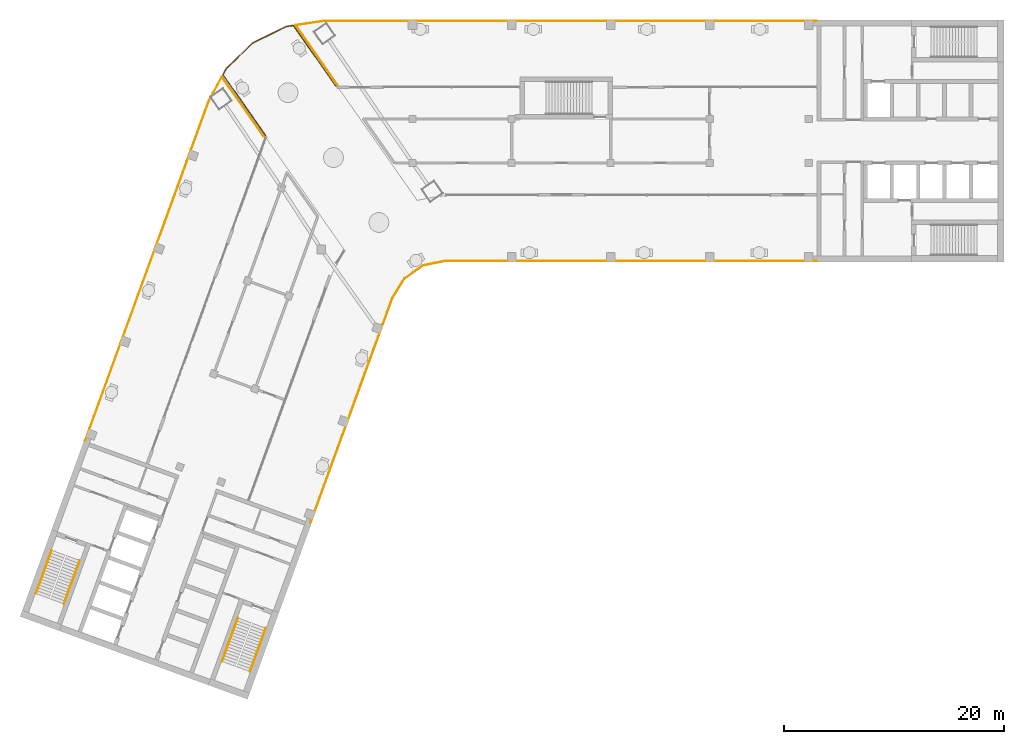
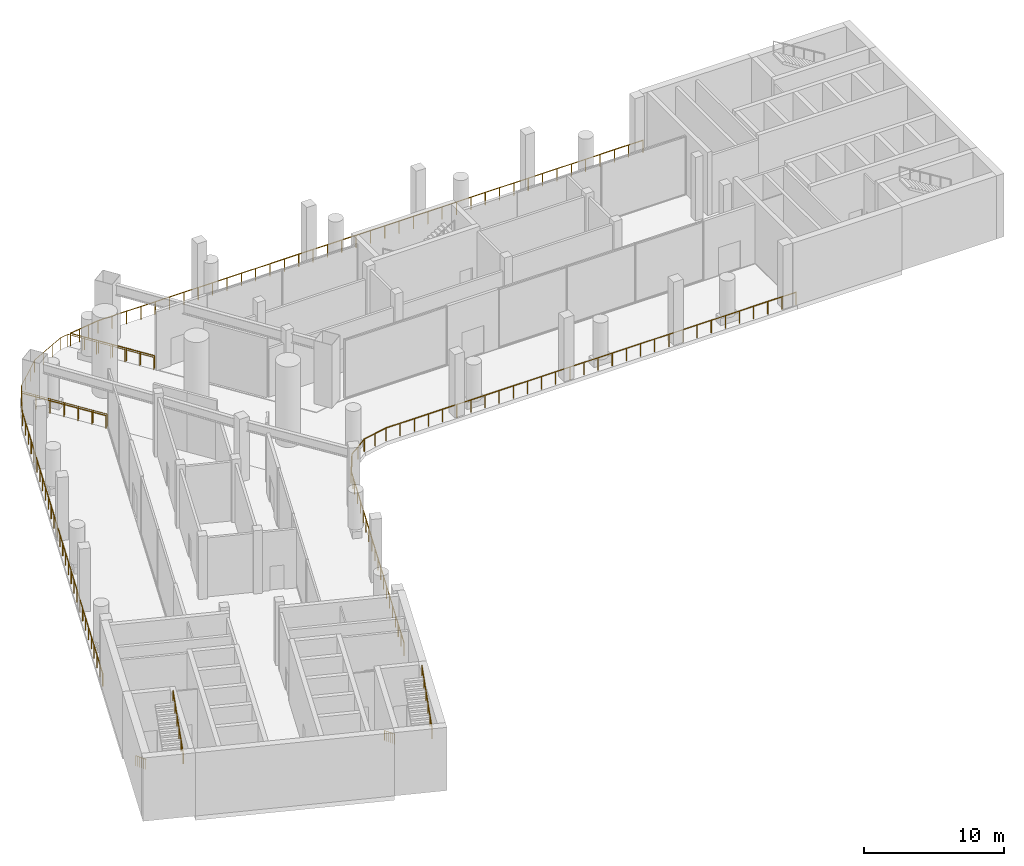
# One storey, part 13 of 17: 10 railings.
"""IFC4 building model written with IfcOpenShell, lengths in metres."""

import ifcopenshell
import ifcopenshell.guid

model = None  # the IFC model being written
_history = None  # IfcOwnerHistory: only IFC2X3 demands one
_inside = {}  # id of a spatial element -> (the spatial element, [elements in it])
_under = {}  # id of a project, library or spatial element -> (it, [spatial elements below it])
_declared = {}  # id of a project -> (the project, [libraries it declares])
_typed = {}  # id of a type object -> (the type object, [elements of that type])
_made_of = {}  # id of a material, layer set ... -> (it, [elements and type objects made of it])


def new_model(schema):
    """Start an empty IFC model of exactly this schema.

    Asked for "IFC4X3", IfcOpenShell would pick the latest addendum, in which some entities
    have other attributes; the version numbers below select the first issue.
    IFC2X3 requires an IfcOwnerHistory on every rooted entity: one is made here for all.
    """
    global model, _history
    if schema == "IFC4X3":
        model = ifcopenshell.file(schema_version=(4, 3, 0, 0))
    else:
        model = ifcopenshell.file(schema=schema)
    _inside.clear()
    _under.clear()
    _declared.clear()
    _typed.clear()
    _made_of.clear()
    _history = None
    if model.schema == "IFC2X3":
        org = make("IfcOrganization", Name="unknown")
        user = make(
            "IfcPersonAndOrganization",
            ThePerson=make("IfcPerson", FamilyName="unknown"),
            TheOrganization=org,
        )
        app = make(
            "IfcApplication",
            ApplicationDeveloper=org,
            Version="unknown",
            ApplicationFullName="unknown",
            ApplicationIdentifier="unknown",
        )
        _history = make(
            "IfcOwnerHistory",
            OwningUser=user,
            OwningApplication=app,
            ChangeAction="ADDED",
            CreationDate=0,
        )
    return model


def make(cls, **values):
    """One entity of the class cls with the attributes given. An attribute that is None is left unset."""
    return model.create_entity(
        cls, **{name: value for name, value in values.items() if value is not None}
    )


def rooted(cls, **values):
    """An entity with a GlobalId (a new one), such as an element, a storey or a relation."""
    return make(cls, GlobalId=ifcopenshell.guid.new(), OwnerHistory=_history, **values)


def si_unit(unit_type, name, prefix=None):
    """IfcSIUnit, for example si_unit("LENGTHUNIT", "METRE", prefix="MILLI")."""
    return make("IfcSIUnit", UnitType=unit_type, Prefix=prefix, Name=name)


def assignment(units):
    """IfcUnitAssignment: the units of a project."""
    return None if units is None else make("IfcUnitAssignment", Units=units)


def point(xyz):
    """IfcCartesianPoint."""
    return None if xyz is None else make("IfcCartesianPoint", Coordinates=xyz)


def direction(xyz):
    """IfcDirection."""
    return None if xyz is None else make("IfcDirection", DirectionRatios=xyz)


def frame(location, z_axis=None, x_axis=None):
    """IfcAxis2Placement3D, a coordinate frame: its origin and axes. An axis left out is left unset."""
    return make(
        "IfcAxis2Placement3D",
        Location=point(location),
        Axis=direction(z_axis),
        RefDirection=direction(x_axis),
    )


def frame_2d(location, x_axis=None):
    """IfcAxis2Placement2D, a coordinate frame in the plane: its origin and x axis."""
    return make(
        "IfcAxis2Placement2D", Location=point(location), RefDirection=direction(x_axis)
    )


def origin():
    """The frame at (0, 0, 0) with its axes left unset."""
    return frame((0.0, 0.0, 0.0))


def origin_2d():
    """The frame at (0, 0) in the plane with its x axis left unset."""
    return frame_2d((0.0, 0.0))


def place(relative_to, where):
    """IfcLocalPlacement: puts the frame where relative to a parent placement (None: the world)."""
    return make(
        "IfcLocalPlacement", PlacementRelTo=relative_to, RelativePlacement=where
    )


def context(
    kind, dimensions, precision=None, world=None, true_north=None, identifier=None
):
    """IfcGeometricRepresentationContext, for example the 3D "Model" context."""
    return make(
        "IfcGeometricRepresentationContext",
        ContextIdentifier=identifier,
        ContextType=kind,
        CoordinateSpaceDimension=dimensions,
        Precision=precision,
        WorldCoordinateSystem=world,
        TrueNorth=true_north,
    )


def subcontext(parent, identifier, kind, view, scale=None):
    """IfcGeometricRepresentationSubContext, for example "Body" below "Model"."""
    return make(
        "IfcGeometricRepresentationSubContext",
        ContextIdentifier=identifier,
        ContextType=kind,
        ParentContext=parent,
        TargetScale=scale,
        TargetView=view,
    )


def project(units=None, contexts=None):
    """IfcProject with its units and contexts."""
    return rooted(
        "IfcProject",
        Name="project",
        RepresentationContexts=contexts,
        UnitsInContext=assignment(units),
    )


def spatial(cls, under=None, at=None, **own):
    """A site, building, storey or space (cls), placed at a placement, below another one or the project."""
    s = rooted(cls, ObjectPlacement=at, **own)
    if under is not None:
        _under.setdefault(under.id(), (under, []))[1].append(s)
    return s


def profile(cls, at=None, kind="AREA", **sizes):
    """A parametric profile (cls). Its sizes go by their IFC names, for example OverallWidth=200.0."""
    return make(cls, ProfileType=kind, Position=at, **sizes)


def circle(**sizes):
    """IfcCircleProfileDef."""
    return profile("IfcCircleProfileDef", **sizes)


def extrude(swept, where, along, depth):
    """IfcExtrudedAreaSolid: the profile swept, set in the frame where, extruded along a direction by depth."""
    return make(
        "IfcExtrudedAreaSolid",
        SweptArea=swept,
        Position=where,
        ExtrudedDirection=direction(along),
        Depth=depth,
    )


def shape(context_of_items, identifier, shape_type, items):
    """IfcShapeRepresentation: the items that make up one representation, for example the "Body"."""
    return make(
        "IfcShapeRepresentation",
        ContextOfItems=context_of_items,
        RepresentationIdentifier=identifier,
        RepresentationType=shape_type,
        Items=items,
    )


def material(Name=None, Category=None):
    """IfcMaterial."""
    return make("IfcMaterial", Name=Name, Category=Category)


def made_of(thing, what):
    """Note that an element or type object is made of a material, layer set ...; save() writes the relation."""
    if what is not None:
        _made_of.setdefault(what.id(), (what, []))[1].append(thing)
    return thing


def type_object(cls, material=None, **own):
    """A type object (cls), such as IfcWallType, which elements share."""
    return made_of(rooted(cls, **own), material)


def element(
    cls,
    number,
    at=None,
    inside=None,
    cuts=None,
    type_object=None,
    material=None,
    context=None,
    identifier="Body",
    shape_type=None,
    held_by="IfcProductDefinitionShape",
    body=None,
    shapes=None,
    **own,
):
    """One element of the class cls, such as IfcWall. Its Tag is "e" and its number.

    at: its placement. inside: the storey or other place that contains it. cuts: it is an
    opening in that element (IfcRelVoidsElement). A single representation is given by context,
    identifier, shape_type and body (its items); several are given by shapes. held_by: the class
    of the entity that holds the representations. save() writes the other relations.
    """
    e = rooted(cls, Tag="e%d" % number, ObjectPlacement=at, **own)
    if body is not None:
        shapes = [shape(context, identifier, shape_type, body)]
    if shapes is not None:
        e.Representation = make(held_by, Representations=shapes)
    if inside is not None:
        _inside.setdefault(inside.id(), (inside, []))[1].append(e)
    if cuts is not None:
        rooted(
            "IfcRelVoidsElement", RelatingBuildingElement=cuts, RelatedOpeningElement=e
        )
    if type_object is not None:
        _typed.setdefault(type_object.id(), (type_object, []))[1].append(e)
    return made_of(e, material)


def aggregate(whole, parts):
    """IfcRelAggregates: a whole, such as a stair, and the parts it consists of."""
    return rooted("IfcRelAggregates", RelatingObject=whole, RelatedObjects=parts)


def save(model, path):
    """Write the relations noted so far, then the file.

    IfcRelAggregates (storeys below a building ...), IfcRelContainedInSpatialStructure (elements
    in a storey), IfcRelDefinesByType, IfcRelAssociatesMaterial and IfcRelDeclares: one each for
    every whole, place, type object, material and project.
    """
    for whole, parts in _under.values():
        aggregate(whole, parts)
    for where, things in _inside.values():
        rooted(
            "IfcRelContainedInSpatialStructure",
            RelatedElements=things,
            RelatingStructure=where,
        )
    for kind, things in _typed.values():
        rooted("IfcRelDefinesByType", RelatedObjects=things, RelatingType=kind)
    for what, things in _made_of.values():
        rooted("IfcRelAssociatesMaterial", RelatedObjects=things, RelatingMaterial=what)
    for by, libraries in _declared.values():
        rooted("IfcRelDeclares", RelatingContext=by, RelatedDefinitions=libraries)
    model.write(path)


model = new_model("IFC4")

# Units and contexts
model_context = context("Model", 3, precision=1e-05, world=origin(), true_north=direction((0.0, 1.0)))
body_context = subcontext(model_context, "Body", "Model", "MODEL_VIEW")
ifc_project = project(units=[si_unit("LENGTHUNIT", "METRE"), si_unit("AREAUNIT", "SQUARE_METRE"), si_unit("VOLUMEUNIT", "CUBIC_METRE"), si_unit("PLANEANGLEUNIT", "RADIAN"), si_unit("MASSUNIT", "GRAM", prefix="KILO")], contexts=[model_context])

# Site, building, storey
site_placement = place(None, origin())
site = spatial("IfcSite", under=ifc_project, at=site_placement, CompositionType="ELEMENT")
building_placement = place(site_placement, origin())
building = spatial("IfcBuilding", under=site, at=building_placement, Name="Skarvind Civic Tower", CompositionType="ELEMENT")
storey_placement = place(building_placement, frame((0.0, 0.0, 182.5)))
storey = spatial("IfcBuildingStorey", under=building, at=storey_placement, Name="L43", CompositionType="ELEMENT", Elevation=182.5)

# Railings
ifc_material_1 = material(Name="Stainless steel balustrade", Category="steel")
railing_type_1 = type_object("IfcRailingType", Name="GR1 GUARD 1100", PredefinedType="GUARDRAIL", material=ifc_material_1)
railing_1_placement = place(storey_placement, frame((40.882080078125, 128.509765625, 0.0)))
element("IfcRailing", 1, at=railing_1_placement, inside=storey, type_object=railing_type_1, Name="TERRACE GUARD", PredefinedType="GUARDRAIL", context=body_context, shape_type="SweptSolid", body=[
    extrude(circle(Radius=0.02392578125, at=origin_2d()), frame((0.0, 0.0, 1.076171875), z_axis=(-0.573574278211, 0.81915355543, 0.0), x_axis=(-0.81915355543, -0.573574278211, 0.0)), (0.0, 0.0, 1.0), 6.7333984375),
    extrude(circle(Radius=0.02392578125, at=origin_2d()), frame((-3.862060546875, 5.515625, 1.076171875), z_axis=(0.476125014494, 0.879377604089, 0.0), x_axis=(-0.879377604089, 0.476125014494, 0.0)), (0.0, 0.0, 1.0), 0.646484375),
    extrude(circle(Radius=0.02392578125, at=origin_2d()), frame((-3.55419921875, 6.084228515625, 1.076171875), z_axis=(0.721198618013, 0.692728340243, 0.0), x_axis=(-0.692728340243, 0.721198618013, 0.0)), (0.0, 0.0, 1.0), 3.361572265625),
    extrude(circle(Radius=0.02392578125, at=origin_2d()), frame((-1.1298828125, 8.412841796875, 1.076171875), z_axis=(0.897628432025, 0.440752989803, 0.0), x_axis=(-0.440752989803, 0.897628432025, 0.0)), (0.0, 0.0, 1.0), 3.36181640625),
    extrude(circle(Radius=0.02392578125, at=origin_2d()), frame((1.8876953125, 9.89453125, 1.076171875), z_axis=(0.989093689947, 0.147287720152, 0.0), x_axis=(-0.147287720152, 0.989093689947, 0.0)), (0.0, 0.0, 1.0), 0.646484375),
    extrude(circle(Radius=0.02392578125, at=origin_2d()), frame((2.527099609375, 9.98974609375, 1.076171875), z_axis=(0.573581571853, -0.819148448348, 0.0), x_axis=(0.819148448348, 0.573581571853, 0.0)), (0.0, 0.0, 1.0), 6.733642578125),
    extrude(circle(Radius=0.02099609375, at=origin_2d()), origin(), (0.0, 0.0, 1.0), 1.052001953125),
    extrude(circle(Radius=0.02099609375, at=origin_2d()), frame((-0.6435546875, 0.919189453125, 0.0)), (0.0, 0.0, 1.0), 1.052001953125),
    extrude(circle(Radius=0.02099609375, at=origin_2d()), frame((-1.287353515625, 1.838623046875, 0.0)), (0.0, 0.0, 1.0), 1.052001953125),
    extrude(circle(Radius=0.02099609375, at=origin_2d()), frame((-1.93115234375, 2.7578125, 0.0)), (0.0, 0.0, 1.0), 1.052001953125),
    extrude(circle(Radius=0.02099609375, at=origin_2d()), frame((-2.57470703125, 3.677001953125, 0.0)), (0.0, 0.0, 1.0), 1.052001953125),
    extrude(circle(Radius=0.02099609375, at=origin_2d()), frame((-3.21826171875, 4.596435546875, 0.0)), (0.0, 0.0, 1.0), 1.052001953125),
    extrude(circle(Radius=0.02099609375, at=origin_2d()), frame((-3.862060546875, 5.515625, 0.0)), (0.0, 0.0, 1.0), 1.052001953125),
    extrude(circle(Radius=0.02099609375, at=origin_2d()), frame((-3.55419921875, 6.084228515625, 0.0)), (0.0, 0.0, 1.0), 1.052001953125),
    extrude(circle(Radius=0.02099609375, at=origin_2d()), frame((-2.74609375, 6.8603515625, 0.0)), (0.0, 0.0, 1.0), 1.052001953125),
    extrude(circle(Radius=0.02099609375, at=origin_2d()), frame((-1.93798828125, 7.63671875, 0.0)), (0.0, 0.0, 1.0), 1.052001953125),
    extrude(circle(Radius=0.02099609375, at=origin_2d()), frame((-1.1298828125, 8.412841796875, 0.0)), (0.0, 0.0, 1.0), 1.052001953125),
    extrude(circle(Radius=0.02099609375, at=origin_2d()), frame((-0.1240234375, 8.90673828125, 0.0)), (0.0, 0.0, 1.0), 1.052001953125),
    extrude(circle(Radius=0.02099609375, at=origin_2d()), frame((0.8818359375, 9.400634765625, 0.0)), (0.0, 0.0, 1.0), 1.052001953125),
    extrude(circle(Radius=0.02099609375, at=origin_2d()), frame((1.8876953125, 9.89453125, 0.0)), (0.0, 0.0, 1.0), 1.052001953125),
    extrude(circle(Radius=0.02099609375, at=origin_2d()), frame((2.527099609375, 9.98974609375, 0.0)), (0.0, 0.0, 1.0), 1.052001953125),
    extrude(circle(Radius=0.02099609375, at=origin_2d()), frame((3.1708984375, 9.0703125, 0.0)), (0.0, 0.0, 1.0), 1.052001953125),
    extrude(circle(Radius=0.02099609375, at=origin_2d()), frame((3.814453125, 8.151123046875, 0.0)), (0.0, 0.0, 1.0), 1.052001953125),
    extrude(circle(Radius=0.02099609375, at=origin_2d()), frame((4.458251953125, 7.23193359375, 0.0)), (0.0, 0.0, 1.0), 1.052001953125),
    extrude(circle(Radius=0.02099609375, at=origin_2d()), frame((5.10205078125, 6.3125, 0.0)), (0.0, 0.0, 1.0), 1.052001953125),
    extrude(circle(Radius=0.02099609375, at=origin_2d()), frame((5.74560546875, 5.39306640625, 0.0)), (0.0, 0.0, 1.0), 1.052001953125),
    extrude(circle(Radius=0.02099609375, at=origin_2d()), frame((6.389404296875, 4.473876953125, 0.0)), (0.0, 0.0, 1.0), 1.052001953125),
])
railing_2_placement = place(storey_placement, frame((90.949951171875, 117.10009765625, 0.0)))
element("IfcRailing", 2, at=railing_2_placement, inside=storey, type_object=railing_type_1, Name="TERRACE GUARD", PredefinedType="GUARDRAIL", context=body_context, shape_type="SweptSolid", body=[
    extrude(circle(Radius=0.02392578125, at=origin_2d()), frame((0.0, 0.0, 1.076171875), z_axis=(-1.0, 0.0, 0.0), x_axis=(0.0, -1.0, 0.0)), (0.0, 0.0, 1.0), 33.724853515625),
    extrude(circle(Radius=0.02099609375, at=origin_2d()), origin(), (0.0, 0.0, 1.0), 1.052001953125),
    extrude(circle(Radius=0.02099609375, at=origin_2d()), frame((-1.162841796875, 0.0, 0.0)), (0.0, 0.0, 1.0), 1.052001953125),
    extrude(circle(Radius=0.02099609375, at=origin_2d()), frame((-2.325927734375, 0.0, 0.0)), (0.0, 0.0, 1.0), 1.052001953125),
    extrude(circle(Radius=0.02099609375, at=origin_2d()), frame((-3.48876953125, 0.0, 0.0)), (0.0, 0.0, 1.0), 1.052001953125),
    extrude(circle(Radius=0.02099609375, at=origin_2d()), frame((-4.651611328125, 0.0, 0.0)), (0.0, 0.0, 1.0), 1.052001953125),
    extrude(circle(Radius=0.02099609375, at=origin_2d()), frame((-5.814697265625, 0.0, 0.0)), (0.0, 0.0, 1.0), 1.052001953125),
    extrude(circle(Radius=0.02099609375, at=origin_2d()), frame((-6.9775390625, 0.0, 0.0)), (0.0, 0.0, 1.0), 1.052001953125),
    extrude(circle(Radius=0.02099609375, at=origin_2d()), frame((-8.140380859375, 0.0, 0.0)), (0.0, 0.0, 1.0), 1.052001953125),
    extrude(circle(Radius=0.02099609375, at=origin_2d()), frame((-9.303466796875, 0.0, 0.0)), (0.0, 0.0, 1.0), 1.052001953125),
    extrude(circle(Radius=0.02099609375, at=origin_2d()), frame((-10.46630859375, 0.0, 0.0)), (0.0, 0.0, 1.0), 1.052001953125),
    extrude(circle(Radius=0.02099609375, at=origin_2d()), frame((-11.629150390625, 0.0, 0.0)), (0.0, 0.0, 1.0), 1.052001953125),
    extrude(circle(Radius=0.02099609375, at=origin_2d()), frame((-12.792236328125, 0.0, 0.0)), (0.0, 0.0, 1.0), 1.052001953125),
    extrude(circle(Radius=0.02099609375, at=origin_2d()), frame((-13.955078125, 0.0, 0.0)), (0.0, 0.0, 1.0), 1.052001953125),
    extrude(circle(Radius=0.02099609375, at=origin_2d()), frame((-15.117919921875, 0.0, 0.0)), (0.0, 0.0, 1.0), 1.052001953125),
    extrude(circle(Radius=0.02099609375, at=origin_2d()), frame((-16.281005859375, 0.0, 0.0)), (0.0, 0.0, 1.0), 1.052001953125),
    extrude(circle(Radius=0.02099609375, at=origin_2d()), frame((-17.44384765625, 0.0, 0.0)), (0.0, 0.0, 1.0), 1.052001953125),
    extrude(circle(Radius=0.02099609375, at=origin_2d()), frame((-18.60693359375, 0.0, 0.0)), (0.0, 0.0, 1.0), 1.052001953125),
    extrude(circle(Radius=0.02099609375, at=origin_2d()), frame((-19.769775390625, 0.0, 0.0)), (0.0, 0.0, 1.0), 1.052001953125),
    extrude(circle(Radius=0.02099609375, at=origin_2d()), frame((-20.9326171875, 0.0, 0.0)), (0.0, 0.0, 1.0), 1.052001953125),
    extrude(circle(Radius=0.02099609375, at=origin_2d()), frame((-22.095703125, 0.0, 0.0)), (0.0, 0.0, 1.0), 1.052001953125),
    extrude(circle(Radius=0.02099609375, at=origin_2d()), frame((-23.258544921875, 0.0, 0.0)), (0.0, 0.0, 1.0), 1.052001953125),
    extrude(circle(Radius=0.02099609375, at=origin_2d()), frame((-24.42138671875, 0.0, 0.0)), (0.0, 0.0, 1.0), 1.052001953125),
    extrude(circle(Radius=0.02099609375, at=origin_2d()), frame((-25.58447265625, 0.0, 0.0)), (0.0, 0.0, 1.0), 1.052001953125),
    extrude(circle(Radius=0.02099609375, at=origin_2d()), frame((-26.747314453125, 0.0, 0.0)), (0.0, 0.0, 1.0), 1.052001953125),
    extrude(circle(Radius=0.02099609375, at=origin_2d()), frame((-27.91015625, 0.0, 0.0)), (0.0, 0.0, 1.0), 1.052001953125),
    extrude(circle(Radius=0.02099609375, at=origin_2d()), frame((-29.0732421875, 0.0, 0.0)), (0.0, 0.0, 1.0), 1.052001953125),
    extrude(circle(Radius=0.02099609375, at=origin_2d()), frame((-30.236083984375, 0.0, 0.0)), (0.0, 0.0, 1.0), 1.052001953125),
    extrude(circle(Radius=0.02099609375, at=origin_2d()), frame((-31.39892578125, 0.0, 0.0)), (0.0, 0.0, 1.0), 1.052001953125),
    extrude(circle(Radius=0.02099609375, at=origin_2d()), frame((-32.56201171875, 0.0, 0.0)), (0.0, 0.0, 1.0), 1.052001953125),
    extrude(circle(Radius=0.02099609375, at=origin_2d()), frame((-33.724853515625, 0.0, 0.0)), (0.0, 0.0, 1.0), 1.052001953125),
])
railing_3_placement = place(storey_placement, frame((57.22509765625, 117.10009765625, 0.0)))
element("IfcRailing", 3, at=railing_3_placement, inside=storey, type_object=railing_type_1, Name="TERRACE GUARD", PredefinedType="GUARDRAIL", context=body_context, shape_type="SweptSolid", body=[
    extrude(circle(Radius=0.02392578125, at=origin_2d()), frame((0.0, 0.0, 1.076171875), z_axis=(-0.979946017644, -0.199263148883, 0.0), x_axis=(0.199263148883, -0.979946017644, 0.0)), (0.0, 0.0, 1.0), 2.072998046875),
    extrude(circle(Radius=0.02392578125, at=origin_2d()), frame((-2.031494140625, -0.4130859375, 1.076171875), z_axis=(-0.819143848461, -0.573588141028, 0.0), x_axis=(0.573588141028, -0.819143848461, 0.0)), (0.0, 0.0, 1.0), 2.083984375),
    extrude(circle(Radius=0.02392578125, at=origin_2d()), frame((-3.738525390625, -1.6083984375, 1.076171875), z_axis=(-0.522473695222, -0.8526554039, 0.0), x_axis=(0.8526554039, -0.522473695222, 0.0)), (0.0, 0.0, 1.0), 2.0732421875),
    extrude(circle(Radius=0.02392578125, at=origin_2d()), frame((-4.82177734375, -3.376220703125, 1.076171875), z_axis=(-0.341901573429, -0.939735768228, 0.0), x_axis=(0.939735768228, -0.341901573429, 0.0)), (0.0, 0.0, 1.0), 1.3603515625),
    extrude(circle(Radius=0.02392578125, at=origin_2d()), frame((-5.286865234375, -4.654541015625, 1.076171875), z_axis=(-0.342019308374, -0.939692924683, 0.0), x_axis=(0.939692924683, -0.342019308374, 0.0)), (0.0, 0.0, 1.0), 20.364501953125),
    extrude(circle(Radius=0.02099609375, at=origin_2d()), origin(), (0.0, 0.0, 1.0), 1.052001953125),
    extrude(circle(Radius=0.02099609375, at=origin_2d()), frame((-1.015625, -0.20654296875, 0.0)), (0.0, 0.0, 1.0), 1.052001953125),
    extrude(circle(Radius=0.02099609375, at=origin_2d()), frame((-2.031494140625, -0.4130859375, 0.0)), (0.0, 0.0, 1.0), 1.052001953125),
    extrude(circle(Radius=0.02099609375, at=origin_2d()), frame((-2.885009765625, -1.0107421875, 0.0)), (0.0, 0.0, 1.0), 1.052001953125),
    extrude(circle(Radius=0.02099609375, at=origin_2d()), frame((-3.738525390625, -1.6083984375, 0.0)), (0.0, 0.0, 1.0), 1.052001953125),
    extrude(circle(Radius=0.02099609375, at=origin_2d()), frame((-4.2802734375, -2.4921875, 0.0)), (0.0, 0.0, 1.0), 1.052001953125),
    extrude(circle(Radius=0.02099609375, at=origin_2d()), frame((-4.82177734375, -3.376220703125, 0.0)), (0.0, 0.0, 1.0), 1.052001953125),
    extrude(circle(Radius=0.02099609375, at=origin_2d()), frame((-5.05419921875, -4.015380859375, 0.0)), (0.0, 0.0, 1.0), 1.052001953125),
    extrude(circle(Radius=0.02099609375, at=origin_2d()), frame((-5.286865234375, -4.654541015625, 0.0)), (0.0, 0.0, 1.0), 1.052001953125),
    extrude(circle(Radius=0.02099609375, at=origin_2d()), frame((-5.696533203125, -5.7802734375, 0.0)), (0.0, 0.0, 1.0), 1.052001953125),
    extrude(circle(Radius=0.02099609375, at=origin_2d()), frame((-6.106201171875, -6.906005859375, 0.0)), (0.0, 0.0, 1.0), 1.052001953125),
    extrude(circle(Radius=0.02099609375, at=origin_2d()), frame((-6.51611328125, -8.031494140625, 0.0)), (0.0, 0.0, 1.0), 1.052001953125),
    extrude(circle(Radius=0.02099609375, at=origin_2d()), frame((-6.92578125, -9.1572265625, 0.0)), (0.0, 0.0, 1.0), 1.052001953125),
    extrude(circle(Radius=0.02099609375, at=origin_2d()), frame((-7.33544921875, -10.282958984375, 0.0)), (0.0, 0.0, 1.0), 1.052001953125),
    extrude(circle(Radius=0.02099609375, at=origin_2d()), frame((-7.7451171875, -11.40869140625, 0.0)), (0.0, 0.0, 1.0), 1.052001953125),
    extrude(circle(Radius=0.02099609375, at=origin_2d()), frame((-8.15478515625, -12.5341796875, 0.0)), (0.0, 0.0, 1.0), 1.052001953125),
    extrude(circle(Radius=0.02099609375, at=origin_2d()), frame((-8.564453125, -13.659912109375, 0.0)), (0.0, 0.0, 1.0), 1.052001953125),
    extrude(circle(Radius=0.02099609375, at=origin_2d()), frame((-8.974365234375, -14.78564453125, 0.0)), (0.0, 0.0, 1.0), 1.052001953125),
    extrude(circle(Radius=0.02099609375, at=origin_2d()), frame((-9.384033203125, -15.911376953125, 0.0)), (0.0, 0.0, 1.0), 1.052001953125),
    extrude(circle(Radius=0.02099609375, at=origin_2d()), frame((-9.793701171875, -17.036865234375, 0.0)), (0.0, 0.0, 1.0), 1.052001953125),
    extrude(circle(Radius=0.02099609375, at=origin_2d()), frame((-10.203369140625, -18.16259765625, 0.0)), (0.0, 0.0, 1.0), 1.052001953125),
    extrude(circle(Radius=0.02099609375, at=origin_2d()), frame((-10.613037109375, -19.288330078125, 0.0)), (0.0, 0.0, 1.0), 1.052001953125),
    extrude(circle(Radius=0.02099609375, at=origin_2d()), frame((-11.022705078125, -20.4140625, 0.0)), (0.0, 0.0, 1.0), 1.052001953125),
    extrude(circle(Radius=0.02099609375, at=origin_2d()), frame((-11.4326171875, -21.53955078125, 0.0)), (0.0, 0.0, 1.0), 1.052001953125),
    extrude(circle(Radius=0.02099609375, at=origin_2d()), frame((-11.84228515625, -22.665283203125, 0.0)), (0.0, 0.0, 1.0), 1.052001953125),
    extrude(circle(Radius=0.02099609375, at=origin_2d()), frame((-12.251953125, -23.791015625, 0.0)), (0.0, 0.0, 1.0), 1.052001953125),
])
railing_4_placement = place(storey_placement, frame((47.435302734375, 133.098388671875, 0.0)))
element("IfcRailing", 4, at=railing_4_placement, inside=storey, type_object=railing_type_1, Name="TERRACE GUARD", PredefinedType="GUARDRAIL", context=body_context, shape_type="SweptSolid", body=[
    extrude(circle(Radius=0.02392578125, at=origin_2d()), frame((0.0, 0.0, 1.076171875), z_axis=(-0.573588310561, 0.81914372975, 0.0), x_axis=(-0.81914372975, -0.573588310561, 0.0)), (0.0, 0.0, 1.0), 6.633544921875),
    extrude(circle(Radius=0.02392578125, at=origin_2d()), frame((-3.804931640625, 5.433837890625, 1.076171875), z_axis=(0.98912255263, 0.147093765603, 0.0), x_axis=(-0.147093765603, 0.98912255263, 0.0)), (0.0, 0.0, 1.0), 2.49951171875),
    extrude(circle(Radius=0.02392578125, at=origin_2d()), frame((-1.33251953125, 5.801513671875, 1.076171875), z_axis=(1.0, 0.0, 0.0), x_axis=(0.0, 1.0, 0.0)), (0.0, 0.0, 1.0), 44.84716796875),
    extrude(circle(Radius=0.02099609375, at=origin_2d()), origin(), (0.0, 0.0, 1.0), 1.052001953125),
    extrude(circle(Radius=0.02099609375, at=origin_2d()), frame((-0.63427734375, 0.90576171875, 0.0)), (0.0, 0.0, 1.0), 1.052001953125),
    extrude(circle(Radius=0.02099609375, at=origin_2d()), frame((-1.268310546875, 1.811279296875, 0.0)), (0.0, 0.0, 1.0), 1.052001953125),
    extrude(circle(Radius=0.02099609375, at=origin_2d()), frame((-1.90234375, 2.716796875, 0.0)), (0.0, 0.0, 1.0), 1.052001953125),
    extrude(circle(Radius=0.02099609375, at=origin_2d()), frame((-2.53662109375, 3.62255859375, 0.0)), (0.0, 0.0, 1.0), 1.052001953125),
    extrude(circle(Radius=0.02099609375, at=origin_2d()), frame((-3.1708984375, 4.5283203125, 0.0)), (0.0, 0.0, 1.0), 1.052001953125),
    extrude(circle(Radius=0.02099609375, at=origin_2d()), frame((-3.804931640625, 5.433837890625, 0.0)), (0.0, 0.0, 1.0), 1.052001953125),
    extrude(circle(Radius=0.02099609375, at=origin_2d()), frame((-2.980712890625, 5.556396484375, 0.0)), (0.0, 0.0, 1.0), 1.052001953125),
    extrude(circle(Radius=0.02099609375, at=origin_2d()), frame((-2.15673828125, 5.678955078125, 0.0)), (0.0, 0.0, 1.0), 1.052001953125),
    extrude(circle(Radius=0.02099609375, at=origin_2d()), frame((-1.33251953125, 5.801513671875, 0.0)), (0.0, 0.0, 1.0), 1.052001953125),
    extrude(circle(Radius=0.02099609375, at=origin_2d()), frame((-0.15234375, 5.801513671875, 0.0)), (0.0, 0.0, 1.0), 1.052001953125),
    extrude(circle(Radius=0.02099609375, at=origin_2d()), frame((1.02783203125, 5.801513671875, 0.0)), (0.0, 0.0, 1.0), 1.052001953125),
    extrude(circle(Radius=0.02099609375, at=origin_2d()), frame((2.2080078125, 5.801513671875, 0.0)), (0.0, 0.0, 1.0), 1.052001953125),
    extrude(circle(Radius=0.02099609375, at=origin_2d()), frame((3.38818359375, 5.801513671875, 0.0)), (0.0, 0.0, 1.0), 1.052001953125),
    extrude(circle(Radius=0.02099609375, at=origin_2d()), frame((4.568359375, 5.801513671875, 0.0)), (0.0, 0.0, 1.0), 1.052001953125),
    extrude(circle(Radius=0.02099609375, at=origin_2d()), frame((5.74853515625, 5.801513671875, 0.0)), (0.0, 0.0, 1.0), 1.052001953125),
    extrude(circle(Radius=0.02099609375, at=origin_2d()), frame((6.9287109375, 5.801513671875, 0.0)), (0.0, 0.0, 1.0), 1.052001953125),
    extrude(circle(Radius=0.02099609375, at=origin_2d()), frame((8.10888671875, 5.801513671875, 0.0)), (0.0, 0.0, 1.0), 1.052001953125),
    extrude(circle(Radius=0.02099609375, at=origin_2d()), frame((9.2890625, 5.801513671875, 0.0)), (0.0, 0.0, 1.0), 1.052001953125),
    extrude(circle(Radius=0.02099609375, at=origin_2d()), frame((10.469482421875, 5.801513671875, 0.0)), (0.0, 0.0, 1.0), 1.052001953125),
    extrude(circle(Radius=0.02099609375, at=origin_2d()), frame((11.649658203125, 5.801513671875, 0.0)), (0.0, 0.0, 1.0), 1.052001953125),
    extrude(circle(Radius=0.02099609375, at=origin_2d()), frame((12.829833984375, 5.801513671875, 0.0)), (0.0, 0.0, 1.0), 1.052001953125),
    extrude(circle(Radius=0.02099609375, at=origin_2d()), frame((14.010009765625, 5.801513671875, 0.0)), (0.0, 0.0, 1.0), 1.052001953125),
    extrude(circle(Radius=0.02099609375, at=origin_2d()), frame((15.190185546875, 5.801513671875, 0.0)), (0.0, 0.0, 1.0), 1.052001953125),
    extrude(circle(Radius=0.02099609375, at=origin_2d()), frame((16.370361328125, 5.801513671875, 0.0)), (0.0, 0.0, 1.0), 1.052001953125),
    extrude(circle(Radius=0.02099609375, at=origin_2d()), frame((17.550537109375, 5.801513671875, 0.0)), (0.0, 0.0, 1.0), 1.052001953125),
    extrude(circle(Radius=0.02099609375, at=origin_2d()), frame((18.730712890625, 5.801513671875, 0.0)), (0.0, 0.0, 1.0), 1.052001953125),
    extrude(circle(Radius=0.02099609375, at=origin_2d()), frame((19.910888671875, 5.801513671875, 0.0)), (0.0, 0.0, 1.0), 1.052001953125),
    extrude(circle(Radius=0.02099609375, at=origin_2d()), frame((21.091064453125, 5.801513671875, 0.0)), (0.0, 0.0, 1.0), 1.052001953125),
    extrude(circle(Radius=0.02099609375, at=origin_2d()), frame((22.271240234375, 5.801513671875, 0.0)), (0.0, 0.0, 1.0), 1.052001953125),
    extrude(circle(Radius=0.02099609375, at=origin_2d()), frame((23.451416015625, 5.801513671875, 0.0)), (0.0, 0.0, 1.0), 1.052001953125),
    extrude(circle(Radius=0.02099609375, at=origin_2d()), frame((24.631591796875, 5.801513671875, 0.0)), (0.0, 0.0, 1.0), 1.052001953125),
    extrude(circle(Radius=0.02099609375, at=origin_2d()), frame((25.811767578125, 5.801513671875, 0.0)), (0.0, 0.0, 1.0), 1.052001953125),
    extrude(circle(Radius=0.02099609375, at=origin_2d()), frame((26.991943359375, 5.801513671875, 0.0)), (0.0, 0.0, 1.0), 1.052001953125),
    extrude(circle(Radius=0.02099609375, at=origin_2d()), frame((28.172119140625, 5.801513671875, 0.0)), (0.0, 0.0, 1.0), 1.052001953125),
    extrude(circle(Radius=0.02099609375, at=origin_2d()), frame((29.352294921875, 5.801513671875, 0.0)), (0.0, 0.0, 1.0), 1.052001953125),
    extrude(circle(Radius=0.02099609375, at=origin_2d()), frame((30.532470703125, 5.801513671875, 0.0)), (0.0, 0.0, 1.0), 1.052001953125),
    extrude(circle(Radius=0.02099609375, at=origin_2d()), frame((31.712646484375, 5.801513671875, 0.0)), (0.0, 0.0, 1.0), 1.052001953125),
    extrude(circle(Radius=0.02099609375, at=origin_2d()), frame((32.89306640625, 5.801513671875, 0.0)), (0.0, 0.0, 1.0), 1.052001953125),
    extrude(circle(Radius=0.02099609375, at=origin_2d()), frame((34.0732421875, 5.801513671875, 0.0)), (0.0, 0.0, 1.0), 1.052001953125),
    extrude(circle(Radius=0.02099609375, at=origin_2d()), frame((35.25341796875, 5.801513671875, 0.0)), (0.0, 0.0, 1.0), 1.052001953125),
    extrude(circle(Radius=0.02099609375, at=origin_2d()), frame((36.43359375, 5.801513671875, 0.0)), (0.0, 0.0, 1.0), 1.052001953125),
    extrude(circle(Radius=0.02099609375, at=origin_2d()), frame((37.61376953125, 5.801513671875, 0.0)), (0.0, 0.0, 1.0), 1.052001953125),
    extrude(circle(Radius=0.02099609375, at=origin_2d()), frame((38.7939453125, 5.801513671875, 0.0)), (0.0, 0.0, 1.0), 1.052001953125),
    extrude(circle(Radius=0.02099609375, at=origin_2d()), frame((39.97412109375, 5.801513671875, 0.0)), (0.0, 0.0, 1.0), 1.052001953125),
    extrude(circle(Radius=0.02099609375, at=origin_2d()), frame((41.154296875, 5.801513671875, 0.0)), (0.0, 0.0, 1.0), 1.052001953125),
    extrude(circle(Radius=0.02099609375, at=origin_2d()), frame((42.33447265625, 5.801513671875, 0.0)), (0.0, 0.0, 1.0), 1.052001953125),
    extrude(circle(Radius=0.02099609375, at=origin_2d()), frame((43.5146484375, 5.801513671875, 0.0)), (0.0, 0.0, 1.0), 1.052001953125),
])
railing_5_placement = place(storey_placement, frame((24.48779296875, 100.76513671875, 0.0)))
element("IfcRailing", 5, at=railing_5_placement, inside=storey, type_object=railing_type_1, Name="TERRACE GUARD", PredefinedType="GUARDRAIL", context=body_context, shape_type="SweptSolid", body=[
    extrude(circle(Radius=0.02392578125, at=origin_2d()), frame((0.0, 0.0, 1.076171875), z_axis=(0.342019954452, 0.93969268953, 0.0), x_axis=(-0.93969268953, 0.342019954452, 0.0)), (0.0, 0.0, 1.0), 32.84716796875),
    extrude(circle(Radius=0.02099609375, at=origin_2d()), origin(), (0.0, 0.0, 1.0), 1.052001953125),
    extrude(circle(Radius=0.02099609375, at=origin_2d()), frame((0.401123046875, 1.102294921875, 0.0)), (0.0, 0.0, 1.0), 1.052001953125),
    extrude(circle(Radius=0.02099609375, at=origin_2d()), frame((0.802490234375, 2.204833984375, 0.0)), (0.0, 0.0, 1.0), 1.052001953125),
    extrude(circle(Radius=0.02099609375, at=origin_2d()), frame((1.20361328125, 3.30712890625, 0.0)), (0.0, 0.0, 1.0), 1.052001953125),
    extrude(circle(Radius=0.02099609375, at=origin_2d()), frame((1.60498046875, 4.409423828125, 0.0)), (0.0, 0.0, 1.0), 1.052001953125),
    extrude(circle(Radius=0.02099609375, at=origin_2d()), frame((2.006103515625, 5.51171875, 0.0)), (0.0, 0.0, 1.0), 1.052001953125),
    extrude(circle(Radius=0.02099609375, at=origin_2d()), frame((2.407470703125, 6.6142578125, 0.0)), (0.0, 0.0, 1.0), 1.052001953125),
    extrude(circle(Radius=0.02099609375, at=origin_2d()), frame((2.80859375, 7.716552734375, 0.0)), (0.0, 0.0, 1.0), 1.052001953125),
    extrude(circle(Radius=0.02099609375, at=origin_2d()), frame((3.209716796875, 8.81884765625, 0.0)), (0.0, 0.0, 1.0), 1.052001953125),
    extrude(circle(Radius=0.02099609375, at=origin_2d()), frame((3.611083984375, 9.92138671875, 0.0)), (0.0, 0.0, 1.0), 1.052001953125),
    extrude(circle(Radius=0.02099609375, at=origin_2d()), frame((4.01220703125, 11.023681640625, 0.0)), (0.0, 0.0, 1.0), 1.052001953125),
    extrude(circle(Radius=0.02099609375, at=origin_2d()), frame((4.41357421875, 12.1259765625, 0.0)), (0.0, 0.0, 1.0), 1.052001953125),
    extrude(circle(Radius=0.02099609375, at=origin_2d()), frame((4.814697265625, 13.228271484375, 0.0)), (0.0, 0.0, 1.0), 1.052001953125),
    extrude(circle(Radius=0.02099609375, at=origin_2d()), frame((5.216064453125, 14.330810546875, 0.0)), (0.0, 0.0, 1.0), 1.052001953125),
    extrude(circle(Radius=0.02099609375, at=origin_2d()), frame((5.6171875, 15.43310546875, 0.0)), (0.0, 0.0, 1.0), 1.052001953125),
    extrude(circle(Radius=0.02099609375, at=origin_2d()), frame((6.018310546875, 16.535400390625, 0.0)), (0.0, 0.0, 1.0), 1.052001953125),
    extrude(circle(Radius=0.02099609375, at=origin_2d()), frame((6.419677734375, 17.637939453125, 0.0)), (0.0, 0.0, 1.0), 1.052001953125),
    extrude(circle(Radius=0.02099609375, at=origin_2d()), frame((6.82080078125, 18.740234375, 0.0)), (0.0, 0.0, 1.0), 1.052001953125),
    extrude(circle(Radius=0.02099609375, at=origin_2d()), frame((7.22216796875, 19.842529296875, 0.0)), (0.0, 0.0, 1.0), 1.052001953125),
    extrude(circle(Radius=0.02099609375, at=origin_2d()), frame((7.623291015625, 20.94482421875, 0.0)), (0.0, 0.0, 1.0), 1.052001953125),
    extrude(circle(Radius=0.02099609375, at=origin_2d()), frame((8.024658203125, 22.04736328125, 0.0)), (0.0, 0.0, 1.0), 1.052001953125),
    extrude(circle(Radius=0.02099609375, at=origin_2d()), frame((8.42578125, 23.149658203125, 0.0)), (0.0, 0.0, 1.0), 1.052001953125),
    extrude(circle(Radius=0.02099609375, at=origin_2d()), frame((8.826904296875, 24.251953125, 0.0)), (0.0, 0.0, 1.0), 1.052001953125),
    extrude(circle(Radius=0.02099609375, at=origin_2d()), frame((9.228271484375, 25.3544921875, 0.0)), (0.0, 0.0, 1.0), 1.052001953125),
    extrude(circle(Radius=0.02099609375, at=origin_2d()), frame((9.62939453125, 26.456787109375, 0.0)), (0.0, 0.0, 1.0), 1.052001953125),
    extrude(circle(Radius=0.02099609375, at=origin_2d()), frame((10.03076171875, 27.55908203125, 0.0)), (0.0, 0.0, 1.0), 1.052001953125),
    extrude(circle(Radius=0.02099609375, at=origin_2d()), frame((10.431884765625, 28.661376953125, 0.0)), (0.0, 0.0, 1.0), 1.052001953125),
    extrude(circle(Radius=0.02099609375, at=origin_2d()), frame((10.833251953125, 29.763916015625, 0.0)), (0.0, 0.0, 1.0), 1.052001953125),
    extrude(circle(Radius=0.02099609375, at=origin_2d()), frame((11.234375, 30.8662109375, 0.0)), (0.0, 0.0, 1.0), 1.052001953125),
])
railing_6_placement = place(storey_placement, frame((35.72216796875, 131.63134765625, 0.0)))
element("IfcRailing", 6, at=railing_6_placement, inside=storey, type_object=railing_type_1, Name="TERRACE GUARD", PredefinedType="GUARDRAIL", context=body_context, shape_type="SweptSolid", body=[
    extrude(circle(Radius=0.02392578125, at=origin_2d()), frame((0.0, 0.0, 1.076171875), z_axis=(0.476503369528, 0.879172644495, 0.0), x_axis=(-0.879172644495, 0.476503369528, 0.0)), (0.0, 0.0, 1.0), 2.499755859375),
    extrude(circle(Radius=0.02392578125, at=origin_2d()), frame((1.191162109375, 2.19775390625, 1.076171875), z_axis=(0.573571018609, -0.819155837806, 0.0), x_axis=(0.819155837806, 0.573571018609, 0.0)), (0.0, 0.0, 1.0), 6.6337890625),
    extrude(circle(Radius=0.02099609375, at=origin_2d()), origin(), (0.0, 0.0, 1.0), 1.052001953125),
    extrude(circle(Radius=0.02099609375, at=origin_2d()), frame((0.39697265625, 0.732666015625, 0.0)), (0.0, 0.0, 1.0), 1.052001953125),
    extrude(circle(Radius=0.02099609375, at=origin_2d()), frame((0.794189453125, 1.465087890625, 0.0)), (0.0, 0.0, 1.0), 1.052001953125),
    extrude(circle(Radius=0.02099609375, at=origin_2d()), frame((1.191162109375, 2.19775390625, 0.0)), (0.0, 0.0, 1.0), 1.052001953125),
    extrude(circle(Radius=0.02099609375, at=origin_2d()), frame((1.8251953125, 1.2919921875, 0.0)), (0.0, 0.0, 1.0), 1.052001953125),
    extrude(circle(Radius=0.02099609375, at=origin_2d()), frame((2.45947265625, 0.386474609375, 0.0)), (0.0, 0.0, 1.0), 1.052001953125),
    extrude(circle(Radius=0.02099609375, at=origin_2d()), frame((3.09375, -0.519287109375, 0.0)), (0.0, 0.0, 1.0), 1.052001953125),
    extrude(circle(Radius=0.02099609375, at=origin_2d()), frame((3.727783203125, -1.425048828125, 0.0)), (0.0, 0.0, 1.0), 1.052001953125),
    extrude(circle(Radius=0.02099609375, at=origin_2d()), frame((4.36181640625, -2.33056640625, 0.0)), (0.0, 0.0, 1.0), 1.052001953125),
    extrude(circle(Radius=0.02099609375, at=origin_2d()), frame((4.99609375, -3.236328125, 0.0)), (0.0, 0.0, 1.0), 1.052001953125),
])
ifc_material_2 = material(Name="Painted steel handrail", Category="steel")
railing_type_2 = type_object("IfcRailingType", Name="Stair handrail 900", PredefinedType="HANDRAIL", material=ifc_material_2)
railing_7_placement = place(storey_placement, frame((38.362060546875, 84.64794921875, 0.171875)))
element("IfcRailing", 7, at=railing_7_placement, inside=storey, type_object=railing_type_2, Name="Stair handrail", PredefinedType="HANDRAIL", context=body_context, shape_type="SweptSolid", body=[
    extrude(circle(Radius=0.02392578125, at=origin_2d()), frame((0.0, 0.0, 0.8759765625), z_axis=(-0.291489145174, -0.800852059973, 0.523134835662), x_axis=(0.939691552312, -0.342023078919, 0.0)), (0.0, 0.0, 1.0), 4.92822265625),
    extrude(circle(Radius=0.02099609375, at=origin_2d()), origin(), (0.0, 0.0, 1.0), 0.851806640625),
    extrude(circle(Radius=0.02099609375, at=origin_2d()), frame((-0.287353515625, -0.789306640625, 0.515625)), (0.0, 0.0, 1.0), 0.851806640625),
    extrude(circle(Radius=0.02099609375, at=origin_2d()), frame((-0.57470703125, -1.57861328125, 1.03125)), (0.0, 0.0, 1.0), 0.851806640625),
    extrude(circle(Radius=0.02099609375, at=origin_2d()), frame((-0.86181640625, -2.3681640625, 1.546875)), (0.0, 0.0, 1.0), 0.851806640625),
    extrude(circle(Radius=0.02099609375, at=origin_2d()), frame((-1.149169921875, -3.157470703125, 2.0625)), (0.0, 0.0, 1.0), 0.851806640625),
    extrude(circle(Radius=0.02099609375, at=origin_2d()), frame((-1.4365234375, -3.94677734375, 2.578125)), (0.0, 0.0, 1.0), 0.851806640625),
])
railing_8_placement = place(storey_placement, frame((39.462646484375, 79.777587890625, 2.921875)))
element("IfcRailing", 8, at=railing_8_placement, inside=storey, type_object=railing_type_2, Name="Stair handrail", PredefinedType="HANDRAIL", context=body_context, shape_type="SweptSolid", body=[
    extrude(circle(Radius=0.02392578125, at=origin_2d()), frame((0.0, 0.0, 0.8759765625), z_axis=(0.291489145174, 0.800852059973, 0.523134835662), x_axis=(-0.939691552312, 0.342023078919, 0.0)), (0.0, 0.0, 1.0), 4.92822265625),
    extrude(circle(Radius=0.02099609375, at=origin_2d()), origin(), (0.0, 0.0, 1.0), 0.851806640625),
    extrude(circle(Radius=0.02099609375, at=origin_2d()), frame((0.287353515625, 0.789306640625, 0.515625)), (0.0, 0.0, 1.0), 0.851806640625),
    extrude(circle(Radius=0.02099609375, at=origin_2d()), frame((0.57470703125, 1.57861328125, 1.03125)), (0.0, 0.0, 1.0), 0.851806640625),
    extrude(circle(Radius=0.02099609375, at=origin_2d()), frame((0.86181640625, 2.3681640625, 1.546875)), (0.0, 0.0, 1.0), 0.851806640625),
    extrude(circle(Radius=0.02099609375, at=origin_2d()), frame((1.149169921875, 3.157470703125, 2.0625)), (0.0, 0.0, 1.0), 0.851806640625),
    extrude(circle(Radius=0.02099609375, at=origin_2d()), frame((1.4365234375, 3.94677734375, 2.578125)), (0.0, 0.0, 1.0), 0.851806640625),
])
railing_9_placement = place(storey_placement, frame((21.447509765625, 90.80419921875, 0.171875)))
element("IfcRailing", 9, at=railing_9_placement, inside=storey, type_object=railing_type_2, Name="Stair handrail", PredefinedType="HANDRAIL", context=body_context, shape_type="SweptSolid", body=[
    extrude(circle(Radius=0.02392578125, at=origin_2d()), frame((0.0, 0.0, 0.8759765625), z_axis=(-0.291443814059, -0.800863623675, 0.523142389336), x_axis=(0.939710233287, -0.341971749501, 0.0)), (0.0, 0.0, 1.0), 4.92822265625),
    extrude(circle(Radius=0.02099609375, at=origin_2d()), origin(), (0.0, 0.0, 1.0), 0.851806640625),
    extrude(circle(Radius=0.02099609375, at=origin_2d()), frame((-0.287353515625, -0.789306640625, 0.515625)), (0.0, 0.0, 1.0), 0.851806640625),
    extrude(circle(Radius=0.02099609375, at=origin_2d()), frame((-0.574462890625, -1.57861328125, 1.03125)), (0.0, 0.0, 1.0), 0.851806640625),
    extrude(circle(Radius=0.02099609375, at=origin_2d()), frame((-0.86181640625, -2.3681640625, 1.546875)), (0.0, 0.0, 1.0), 0.851806640625),
    extrude(circle(Radius=0.02099609375, at=origin_2d()), frame((-1.14892578125, -3.157470703125, 2.0625)), (0.0, 0.0, 1.0), 0.851806640625),
    extrude(circle(Radius=0.02099609375, at=origin_2d()), frame((-1.436279296875, -3.94677734375, 2.578125)), (0.0, 0.0, 1.0), 0.851806640625),
])
railing_10_placement = place(storey_placement, frame((22.54833984375, 85.93408203125, 2.921875)))
element("IfcRailing", 10, at=railing_10_placement, inside=storey, type_object=railing_type_2, Name="Stair handrail", PredefinedType="HANDRAIL", context=body_context, shape_type="SweptSolid", body=[
    extrude(circle(Radius=0.02392578125, at=origin_2d()), frame((0.0, 0.0, 0.8759765625), z_axis=(0.291489145174, 0.800852059973, 0.523134835662), x_axis=(-0.939691552312, 0.342023078919, 0.0)), (0.0, 0.0, 1.0), 4.92822265625),
    extrude(circle(Radius=0.02099609375, at=origin_2d()), origin(), (0.0, 0.0, 1.0), 0.851806640625),
    extrude(circle(Radius=0.02099609375, at=origin_2d()), frame((0.287353515625, 0.789306640625, 0.515625)), (0.0, 0.0, 1.0), 0.851806640625),
    extrude(circle(Radius=0.02099609375, at=origin_2d()), frame((0.57470703125, 1.57861328125, 1.03125)), (0.0, 0.0, 1.0), 0.851806640625),
    extrude(circle(Radius=0.02099609375, at=origin_2d()), frame((0.86181640625, 2.3681640625, 1.546875)), (0.0, 0.0, 1.0), 0.851806640625),
    extrude(circle(Radius=0.02099609375, at=origin_2d()), frame((1.149169921875, 3.157470703125, 2.0625)), (0.0, 0.0, 1.0), 0.851806640625),
    extrude(circle(Radius=0.02099609375, at=origin_2d()), frame((1.4365234375, 3.94677734375, 2.578125)), (0.0, 0.0, 1.0), 0.851806640625),
])

save(model, "model.ifc")
